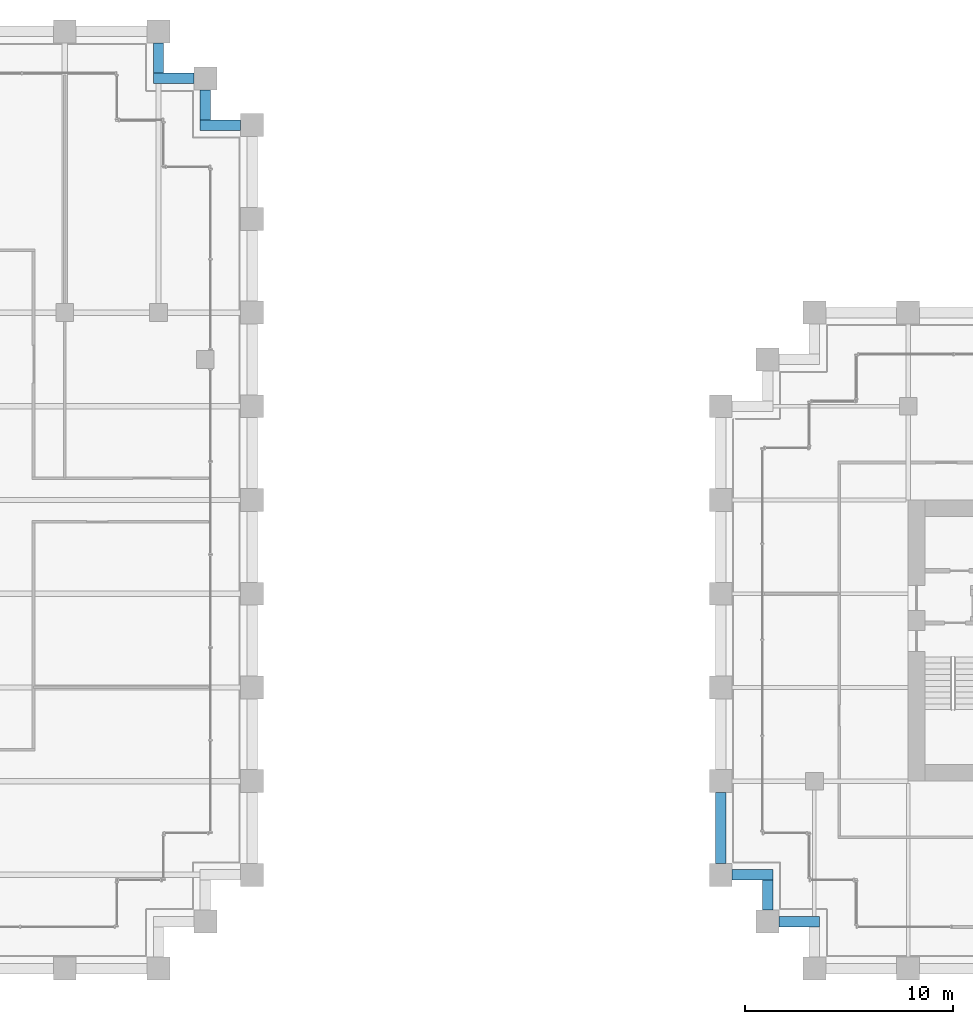
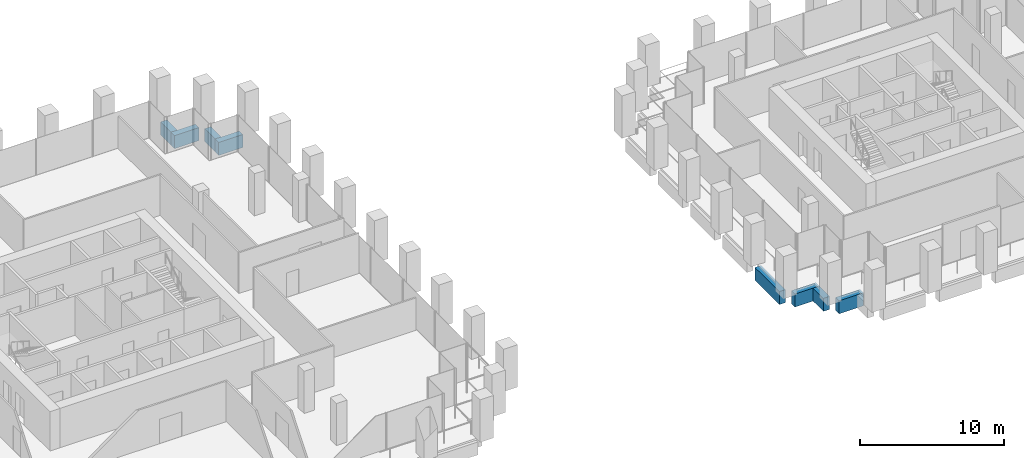
# One storey, part 33 of 54: 8 beams.
"""IFC4 building model written with IfcOpenShell, lengths in metres."""

import ifcopenshell
import ifcopenshell.guid

model = None  # the IFC model being written
_history = None  # IfcOwnerHistory: only IFC2X3 demands one
_inside = {}  # id of a spatial element -> (the spatial element, [elements in it])
_under = {}  # id of a project, library or spatial element -> (it, [spatial elements below it])
_declared = {}  # id of a project -> (the project, [libraries it declares])
_typed = {}  # id of a type object -> (the type object, [elements of that type])
_made_of = {}  # id of a material, layer set ... -> (it, [elements and type objects made of it])


def new_model(schema):
    """Start an empty IFC model of exactly this schema.

    Asked for "IFC4X3", IfcOpenShell would pick the latest addendum, in which some entities
    have other attributes; the version numbers below select the first issue.
    IFC2X3 requires an IfcOwnerHistory on every rooted entity: one is made here for all.
    """
    global model, _history
    if schema == "IFC4X3":
        model = ifcopenshell.file(schema_version=(4, 3, 0, 0))
    else:
        model = ifcopenshell.file(schema=schema)
    _inside.clear()
    _under.clear()
    _declared.clear()
    _typed.clear()
    _made_of.clear()
    _history = None
    if model.schema == "IFC2X3":
        org = make("IfcOrganization", Name="unknown")
        user = make(
            "IfcPersonAndOrganization",
            ThePerson=make("IfcPerson", FamilyName="unknown"),
            TheOrganization=org,
        )
        app = make(
            "IfcApplication",
            ApplicationDeveloper=org,
            Version="unknown",
            ApplicationFullName="unknown",
            ApplicationIdentifier="unknown",
        )
        _history = make(
            "IfcOwnerHistory",
            OwningUser=user,
            OwningApplication=app,
            ChangeAction="ADDED",
            CreationDate=0,
        )
    return model


def make(cls, **values):
    """One entity of the class cls with the attributes given. An attribute that is None is left unset."""
    return model.create_entity(
        cls, **{name: value for name, value in values.items() if value is not None}
    )


def rooted(cls, **values):
    """An entity with a GlobalId (a new one), such as an element, a storey or a relation."""
    return make(cls, GlobalId=ifcopenshell.guid.new(), OwnerHistory=_history, **values)


def si_unit(unit_type, name, prefix=None):
    """IfcSIUnit, for example si_unit("LENGTHUNIT", "METRE", prefix="MILLI")."""
    return make("IfcSIUnit", UnitType=unit_type, Prefix=prefix, Name=name)


def assignment(units):
    """IfcUnitAssignment: the units of a project."""
    return None if units is None else make("IfcUnitAssignment", Units=units)


def point(xyz):
    """IfcCartesianPoint."""
    return None if xyz is None else make("IfcCartesianPoint", Coordinates=xyz)


def direction(xyz):
    """IfcDirection."""
    return None if xyz is None else make("IfcDirection", DirectionRatios=xyz)


def frame(location, z_axis=None, x_axis=None):
    """IfcAxis2Placement3D, a coordinate frame: its origin and axes. An axis left out is left unset."""
    return make(
        "IfcAxis2Placement3D",
        Location=point(location),
        Axis=direction(z_axis),
        RefDirection=direction(x_axis),
    )


def frame_2d(location, x_axis=None):
    """IfcAxis2Placement2D, a coordinate frame in the plane: its origin and x axis."""
    return make(
        "IfcAxis2Placement2D", Location=point(location), RefDirection=direction(x_axis)
    )


def origin():
    """The frame at (0, 0, 0) with its axes left unset."""
    return frame((0.0, 0.0, 0.0))


def origin_2d():
    """The frame at (0, 0) in the plane with its x axis left unset."""
    return frame_2d((0.0, 0.0))


def place(relative_to, where):
    """IfcLocalPlacement: puts the frame where relative to a parent placement (None: the world)."""
    return make(
        "IfcLocalPlacement", PlacementRelTo=relative_to, RelativePlacement=where
    )


def context(
    kind, dimensions, precision=None, world=None, true_north=None, identifier=None
):
    """IfcGeometricRepresentationContext, for example the 3D "Model" context."""
    return make(
        "IfcGeometricRepresentationContext",
        ContextIdentifier=identifier,
        ContextType=kind,
        CoordinateSpaceDimension=dimensions,
        Precision=precision,
        WorldCoordinateSystem=world,
        TrueNorth=true_north,
    )


def subcontext(parent, identifier, kind, view, scale=None):
    """IfcGeometricRepresentationSubContext, for example "Body" below "Model"."""
    return make(
        "IfcGeometricRepresentationSubContext",
        ContextIdentifier=identifier,
        ContextType=kind,
        ParentContext=parent,
        TargetScale=scale,
        TargetView=view,
    )


def project(units=None, contexts=None):
    """IfcProject with its units and contexts."""
    return rooted(
        "IfcProject",
        Name="project",
        RepresentationContexts=contexts,
        UnitsInContext=assignment(units),
    )


def spatial(cls, under=None, at=None, **own):
    """A site, building, storey or space (cls), placed at a placement, below another one or the project."""
    s = rooted(cls, ObjectPlacement=at, **own)
    if under is not None:
        _under.setdefault(under.id(), (under, []))[1].append(s)
    return s


def profile(cls, at=None, kind="AREA", **sizes):
    """A parametric profile (cls). Its sizes go by their IFC names, for example OverallWidth=200.0."""
    return make(cls, ProfileType=kind, Position=at, **sizes)


def rectangle(**sizes):
    """IfcRectangleProfileDef."""
    return profile("IfcRectangleProfileDef", **sizes)


def extrude(swept, where, along, depth):
    """IfcExtrudedAreaSolid: the profile swept, set in the frame where, extruded along a direction by depth."""
    return make(
        "IfcExtrudedAreaSolid",
        SweptArea=swept,
        Position=where,
        ExtrudedDirection=direction(along),
        Depth=depth,
    )


def shape(context_of_items, identifier, shape_type, items):
    """IfcShapeRepresentation: the items that make up one representation, for example the "Body"."""
    return make(
        "IfcShapeRepresentation",
        ContextOfItems=context_of_items,
        RepresentationIdentifier=identifier,
        RepresentationType=shape_type,
        Items=items,
    )


def material(Name=None, Category=None):
    """IfcMaterial."""
    return make("IfcMaterial", Name=Name, Category=Category)


def material_profile(
    of_material, cross_section, Name=None, Category=None, Priority=None
):
    """IfcMaterialProfile: a cross section and its material."""
    return make(
        "IfcMaterialProfile",
        Name=Name,
        Material=of_material,
        Profile=cross_section,
        Priority=Priority,
        Category=Category,
    )


def profile_set(profiles, Name=None, composite=None):
    """IfcMaterialProfileSet."""
    return make(
        "IfcMaterialProfileSet",
        Name=Name,
        MaterialProfiles=profiles,
        CompositeProfile=composite,
    )


def made_of(thing, what):
    """Note that an element or type object is made of a material, layer set ...; save() writes the relation."""
    if what is not None:
        _made_of.setdefault(what.id(), (what, []))[1].append(thing)
    return thing


def type_object(cls, material=None, **own):
    """A type object (cls), such as IfcWallType, which elements share."""
    return made_of(rooted(cls, **own), material)


def element(
    cls,
    number,
    at=None,
    inside=None,
    cuts=None,
    type_object=None,
    material=None,
    context=None,
    identifier="Body",
    shape_type=None,
    held_by="IfcProductDefinitionShape",
    body=None,
    shapes=None,
    **own,
):
    """One element of the class cls, such as IfcWall. Its Tag is "e" and its number.

    at: its placement. inside: the storey or other place that contains it. cuts: it is an
    opening in that element (IfcRelVoidsElement). A single representation is given by context,
    identifier, shape_type and body (its items); several are given by shapes. held_by: the class
    of the entity that holds the representations. save() writes the other relations.
    """
    e = rooted(cls, Tag="e%d" % number, ObjectPlacement=at, **own)
    if body is not None:
        shapes = [shape(context, identifier, shape_type, body)]
    if shapes is not None:
        e.Representation = make(held_by, Representations=shapes)
    if inside is not None:
        _inside.setdefault(inside.id(), (inside, []))[1].append(e)
    if cuts is not None:
        rooted(
            "IfcRelVoidsElement", RelatingBuildingElement=cuts, RelatedOpeningElement=e
        )
    if type_object is not None:
        _typed.setdefault(type_object.id(), (type_object, []))[1].append(e)
    return made_of(e, material)


def aggregate(whole, parts):
    """IfcRelAggregates: a whole, such as a stair, and the parts it consists of."""
    return rooted("IfcRelAggregates", RelatingObject=whole, RelatedObjects=parts)


def save(model, path):
    """Write the relations noted so far, then the file.

    IfcRelAggregates (storeys below a building ...), IfcRelContainedInSpatialStructure (elements
    in a storey), IfcRelDefinesByType, IfcRelAssociatesMaterial and IfcRelDeclares: one each for
    every whole, place, type object, material and project.
    """
    for whole, parts in _under.values():
        aggregate(whole, parts)
    for where, things in _inside.values():
        rooted(
            "IfcRelContainedInSpatialStructure",
            RelatedElements=things,
            RelatingStructure=where,
        )
    for kind, things in _typed.values():
        rooted("IfcRelDefinesByType", RelatedObjects=things, RelatingType=kind)
    for what, things in _made_of.values():
        rooted("IfcRelAssociatesMaterial", RelatedObjects=things, RelatingMaterial=what)
    for by, libraries in _declared.values():
        rooted("IfcRelDeclares", RelatingContext=by, RelatedDefinitions=libraries)
    model.write(path)


model = new_model("IFC4")

# Units and contexts
model_context = context("Model", 3, precision=1e-05, world=origin(), true_north=direction((0.0, 1.0)))
body_context = subcontext(model_context, "Body", "Model", "MODEL_VIEW")
ifc_project = project(units=[si_unit("LENGTHUNIT", "METRE"), si_unit("AREAUNIT", "SQUARE_METRE"), si_unit("VOLUMEUNIT", "CUBIC_METRE"), si_unit("PLANEANGLEUNIT", "RADIAN"), si_unit("MASSUNIT", "GRAM", prefix="KILO")], contexts=[model_context])

# Site, building, storey
site_placement = place(None, origin())
site = spatial("IfcSite", under=ifc_project, at=site_placement, CompositionType="ELEMENT")
building_placement = place(site_placement, origin())
building = spatial("IfcBuilding", under=site, at=building_placement, Name="Altepetl Exchange Towers", CompositionType="ELEMENT")
storey_placement = place(building_placement, frame((0.0, 0.0, 58.199951171875)))
storey = spatial("IfcBuildingStorey", under=building, at=storey_placement, Name="L13", CompositionType="ELEMENT", Elevation=58.199951171875)

# Beams
ifc_material_1 = material(Name="Concrete C50/60 precast with cantera rosa facing", Category="concrete")
ifc_material_profile_1 = material_profile(ifc_material_1, rectangle(XDim=0.5, YDim=1.10009765625, at=origin_2d()), Name="500 x 1100")
ifc_profile_set_1 = profile_set([ifc_material_profile_1], Name="Concrete C50/60 precast with cantera rosa facing")
beam_type_1 = type_object("IfcBeamType", Name="Spandrel beam 500x1100 cantera rosa", PredefinedType="SPANDREL", material=ifc_profile_set_1)
beam_1_placement = place(storey_placement, frame((71.449951171875, 67.5, -0.699951171875), z_axis=(-1.0, 0.0, 0.0), x_axis=(0.0, -1.0, 0.0)))
element("IfcBeam", 1, at=beam_1_placement, inside=storey, type_object=beam_type_1, Name="sp:A:L13:020", PredefinedType="SPANDREL", context=body_context, shape_type="SweptSolid", body=[
    extrude(rectangle(XDim=0.5, YDim=1.10009765625, at=origin_2d()), origin(), (0.0, 0.0, 1.0), 1.949951171875),
])
beam_2_placement = place(storey_placement, frame((69.75, 67.75, -0.699951171875), z_axis=(0.0, 1.0, 0.0), x_axis=(-1.0, 0.0, 0.0)))
element("IfcBeam", 2, at=beam_2_placement, inside=storey, type_object=beam_type_1, Name="sp:A:L13:021", PredefinedType="SPANDREL", context=body_context, shape_type="SweptSolid", body=[
    extrude(rectangle(XDim=0.5, YDim=1.10009765625, at=origin_2d()), origin(), (0.0, 0.0, 1.0), 1.449951171875),
])
beam_3_placement = place(storey_placement, frame((69.199951171875, 69.75, -0.699951171875), z_axis=(-1.0, 0.0, 0.0), x_axis=(0.0, -1.0, 0.0)))
element("IfcBeam", 3, at=beam_3_placement, inside=storey, type_object=beam_type_1, Name="sp:A:L13:022", PredefinedType="SPANDREL", context=body_context, shape_type="SweptSolid", body=[
    extrude(rectangle(XDim=0.5, YDim=1.10009765625, at=origin_2d()), origin(), (0.0, 0.0, 1.0), 1.949951171875),
])
beam_4_placement = place(storey_placement, frame((67.5, 70.0, -0.699951171875), z_axis=(0.0, 1.0, 0.0), x_axis=(-1.0, 0.0, 0.0)))
element("IfcBeam", 4, at=beam_4_placement, inside=storey, type_object=beam_type_1, Name="sp:A:L13:023", PredefinedType="SPANDREL", context=body_context, shape_type="SweptSolid", body=[
    extrude(rectangle(XDim=0.5, YDim=1.10009765625, at=origin_2d()), origin(), (0.0, 0.0, 1.0), 1.449951171875),
])
ifc_material_2 = material(Name="Concrete C50/60 precast with tezontle facing", Category="concrete")
ifc_material_profile_2 = material_profile(ifc_material_2, rectangle(XDim=0.5, YDim=1.10009765625, at=origin_2d()), Name="500 x 1100")
ifc_profile_set_2 = profile_set([ifc_material_profile_2], Name="Concrete C50/60 precast with tezontle facing")
beam_type_2 = type_object("IfcBeamType", Name="Spandrel beam 500x1100 tezontle", PredefinedType="SPANDREL", material=ifc_profile_set_2)
beam_5_placement = place(storey_placement, frame((94.5, 35.449951171875, -0.699951171875), z_axis=(0.0, -1.0, 0.0), x_axis=(1.0, 0.0, 0.0)))
element("IfcBeam", 5, at=beam_5_placement, inside=storey, type_object=beam_type_2, Name="sp:B:L13:031", PredefinedType="SPANDREL", context=body_context, shape_type="SweptSolid", body=[
    extrude(rectangle(XDim=0.5, YDim=1.10009765625, at=origin_2d()), origin(), (0.0, 0.0, 1.0), 3.39990234375),
])
beam_6_placement = place(storey_placement, frame((95.050048828125, 31.5, -0.699951171875), z_axis=(1.0, 0.0, 0.0), x_axis=(0.0, 1.0, 0.0)))
element("IfcBeam", 6, at=beam_6_placement, inside=storey, type_object=beam_type_2, Name="sp:B:L13:032", PredefinedType="SPANDREL", context=body_context, shape_type="SweptSolid", body=[
    extrude(rectangle(XDim=0.5, YDim=1.10009765625, at=origin_2d()), origin(), (0.0, 0.0, 1.0), 1.949951171875),
])
beam_7_placement = place(storey_placement, frame((96.75, 31.25, -0.699951171875), z_axis=(0.0, -1.0, 0.0), x_axis=(1.0, 0.0, 0.0)))
element("IfcBeam", 7, at=beam_7_placement, inside=storey, type_object=beam_type_2, Name="sp:B:L13:033", PredefinedType="SPANDREL", context=body_context, shape_type="SweptSolid", body=[
    extrude(rectangle(XDim=0.5, YDim=1.10009765625, at=origin_2d()), origin(), (0.0, 0.0, 1.0), 1.449951171875),
])
beam_8_placement = place(storey_placement, frame((97.300048828125, 29.25, -0.699951171875), z_axis=(1.0, 0.0, 0.0), x_axis=(0.0, 1.0, 0.0)))
element("IfcBeam", 8, at=beam_8_placement, inside=storey, type_object=beam_type_2, Name="sp:B:L13:034", PredefinedType="SPANDREL", context=body_context, shape_type="SweptSolid", body=[
    extrude(rectangle(XDim=0.5, YDim=1.10009765625, at=origin_2d()), origin(), (0.0, 0.0, 1.0), 1.949951171875),
])

save(model, "model.ifc")
